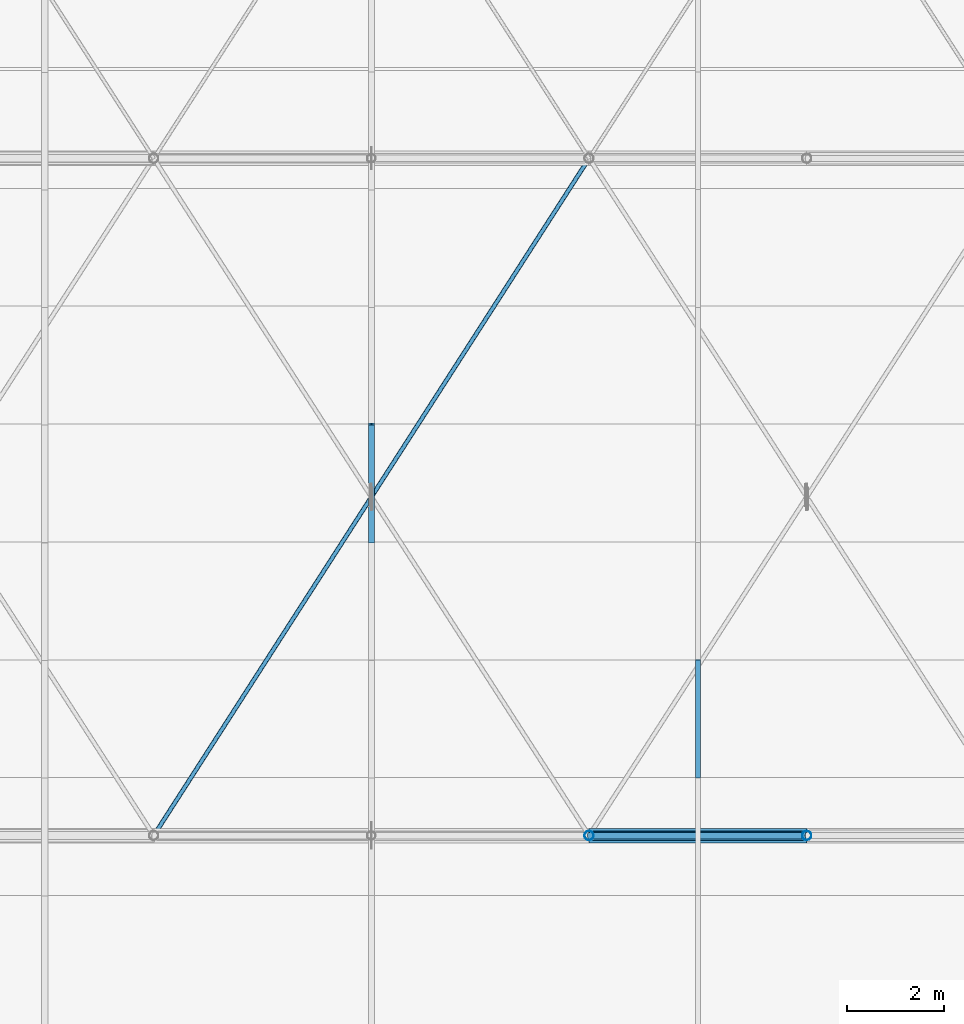
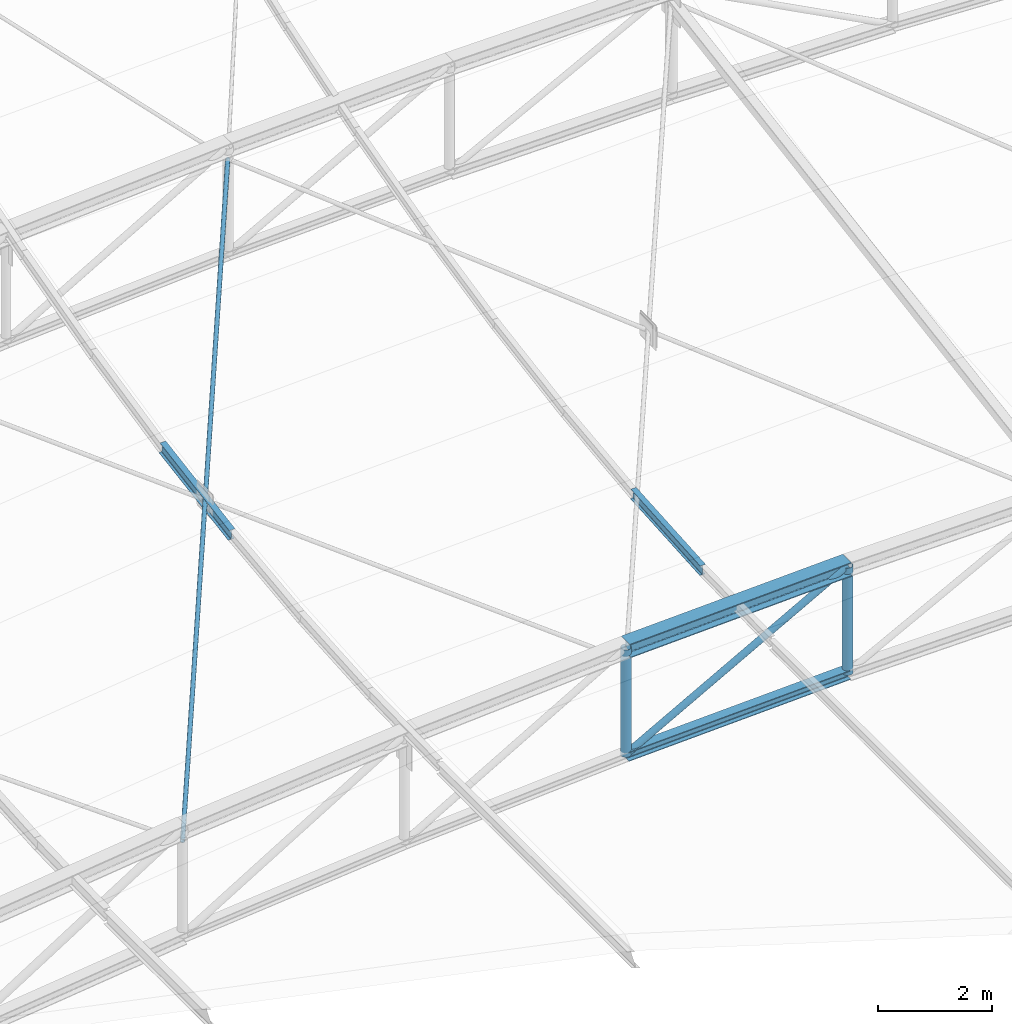
# One storey, part 174 of 262: 8 members.
"""IFC4 building model written with IfcOpenShell, lengths in metres."""

from ifc_helpers import new_model, si_unit, derived_unit, direction, frame, origin, origin_2d, place, context, subcontext, project, spatial, hollow_circle, i_section, extrude, material, material_profile, profile_set, type_object, element, save


model = new_model("IFC4")

# Units and contexts
model_context = context("Model", 3, precision=1e-05, world=origin(), true_north=direction((0.0, 1.0)))
body_context = subcontext(model_context, "Body", "Model", "MODEL_VIEW")
ifc_project = project(units=[si_unit("LENGTHUNIT", "METRE"), si_unit("AREAUNIT", "SQUARE_METRE"), si_unit("VOLUMEUNIT", "CUBIC_METRE"), si_unit("PLANEANGLEUNIT", "RADIAN"), si_unit("MASSUNIT", "GRAM", prefix="KILO"), derived_unit("THERMALTRANSMITTANCEUNIT", [(si_unit("POWERUNIT", "WATT"), 1), (si_unit("LENGTHUNIT", "METRE"), -2), (si_unit("THERMODYNAMICTEMPERATUREUNIT", "KELVIN"), -1)])], contexts=[model_context])

# Site, building, storey
site_placement = place(None, origin())
site = spatial("IfcSite", under=ifc_project, at=site_placement, CompositionType="ELEMENT")
building_placement = place(site_placement, origin())
building = spatial("IfcBuilding", under=site, at=building_placement, Name="Almenara Railside Exhibition Hall", CompositionType="ELEMENT")
storey_placement = place(building_placement, frame((0.0, 0.0, 21.699951171875)))
storey = spatial("IfcBuildingStorey", under=building, at=storey_placement, Name="RF", CompositionType="ELEMENT", Elevation=21.699951171875)

# Members
ifc_material = material(Name="Structural steel S355JR", Category="steel")
ifc_material_profile_1 = material_profile(ifc_material, i_section(OverallWidth=0.300048828125, OverallDepth=0.300048828125, WebThickness=0.010986328125, FlangeThickness=0.01904296875, FilletRadius=0.027099609375, at=origin_2d()), Name="HEB 300")
ifc_profile_set_1 = profile_set([ifc_material_profile_1], Name="Structural steel S355JR")
member_type_1 = type_object("IfcMemberType", Name="Arched Inner Top Chord HEB 300 S355JR", PredefinedType="CHORD", material=ifc_profile_set_1)
member_1_placement = place(storey_placement, frame((156.0, 104.0, -5.32958984375), z_axis=(0.99917098071, 0.0, 0.04071057978), x_axis=(0.0, 1.0, 0.0)))
element("IfcMember", 1, at=member_1_placement, inside=storey, type_object=member_type_1, Name="MEM-TC-V2-05-04", PredefinedType="CHORD", context=body_context, shape_type="SweptSolid", body=[
    extrude(i_section(OverallWidth=0.300048828125, OverallDepth=0.300048828125, WebThickness=0.010986328125, FlangeThickness=0.01904296875, FilletRadius=0.027099609375, at=origin_2d()), origin(), (0.0, 0.0, 1.0), 4.503662109375),
])
ifc_material_profile_2 = material_profile(ifc_material, i_section(OverallWidth=0.199951171875, OverallDepth=0.199951171875, WebThickness=0.009033203125, FlangeThickness=0.014892578125, FilletRadius=0.01806640625, at=origin_2d()), Name="HEB 200")
ifc_profile_set_2 = profile_set([ifc_material_profile_2], Name="Structural steel S355JR")
member_type_2 = type_object("IfcMemberType", Name="Canopy Collar Chord HEB 200 S355JR", PredefinedType="CHORD", material=ifc_profile_set_2)
member_2_placement = place(storey_placement, frame((156.0, 104.0, -7.629638671875), z_axis=(0.99917098071, 0.0, 0.04071057978), x_axis=(0.0, 1.0, 0.0)))
element("IfcMember", 2, at=member_2_placement, inside=storey, type_object=member_type_2, Name="MEM-BC-V2-05-04", PredefinedType="CHORD", context=body_context, shape_type="SweptSolid", body=[
    extrude(i_section(OverallWidth=0.199951171875, OverallDepth=0.199951171875, WebThickness=0.009033203125, FlangeThickness=0.014892578125, FilletRadius=0.01806640625, at=origin_2d()), origin(), (0.0, 0.0, 1.0), 4.503662109375),
])
ifc_material_profile_3 = material_profile(ifc_material, hollow_circle(Radius=0.04443359375, WallThickness=0.00390625, at=origin_2d()), Name="CHS 88.9x4")
ifc_profile_set_3 = profile_set([ifc_material_profile_3], Name="Structural steel S355JR")
member_type_3 = type_object("IfcMemberType", Name="Canopy Tie Brace CHS 88.9x4 S355JR", PredefinedType="BRACE", material=ifc_profile_set_3)
member_3_placement = place(storey_placement, frame((147.0, 104.0, -6.343017578125), z_axis=(0.532168886483, 0.827818267863, 0.177519552872), x_axis=(-0.841178475377, 0.540757591313, 0.0)))
element("IfcMember", 3, at=member_3_placement, inside=storey, type_object=member_type_3, Name="MEM-WB-V2-WB-CHS89-05-02-C", PredefinedType="BRACE", context=body_context, shape_type="SweptSolid", body=[
    extrude(hollow_circle(Radius=0.04443359375, WallThickness=0.00390625, at=origin_2d()), origin(), (0.0, 0.0, 1.0), 16.911865234375),
])
ifc_material_profile_4 = material_profile(ifc_material, i_section(OverallWidth=0.110107421875, OverallDepth=0.219970703125, WebThickness=0.005859375, FlangeThickness=0.00927734375, FilletRadius=0.011962890625, at=origin_2d()), Name="IPE 220")
ifc_profile_set_4 = profile_set([ifc_material_profile_4], Name="Structural steel S355JR")
member_type_4 = type_object("IfcMemberType", Name="Heavy Hall Roof Purlin IPE 220 S355JR", PredefinedType="PURLIN", material=ifc_profile_set_4)
member_4_placement = place(storey_placement, frame((158.25, 105.1962890625, -5.188232421875), z_axis=(0.0, 0.997528729247, 0.070259763216), x_axis=(-1.0, 0.0, 0.0)))
element("IfcMember", 4, at=member_4_placement, inside=storey, type_object=member_type_4, Name="MEM-PR-V2-PR-IPE220-03-17", PredefinedType="PURLIN", context=body_context, shape_type="SweptSolid", body=[
    extrude(i_section(OverallWidth=0.110107421875, OverallDepth=0.219970703125, WebThickness=0.005859375, FlangeThickness=0.00927734375, FilletRadius=0.011962890625, at=origin_2d()), origin(), (0.0, 0.0, 1.0), 2.44287109375),
])
ifc_material_profile_5 = material_profile(ifc_material, i_section(OverallWidth=0.1201171875, OverallDepth=0.239990234375, WebThickness=0.006103515625, FlangeThickness=0.009765625, FilletRadius=0.014892578125, at=origin_2d()), Name="IPE 240")
ifc_profile_set_5 = profile_set([ifc_material_profile_5], Name="Structural steel S355JR")
member_type_5 = type_object("IfcMemberType", Name="Scroll Roof Purlin IPE 240 S355JR", PredefinedType="PURLIN", material=ifc_profile_set_5)
member_5_placement = place(storey_placement, frame((151.5, 110.069580078125, -5.02001953125), z_axis=(0.0, 0.986449960692, 0.164062412058), x_axis=(-1.0, 0.0, 0.0)))
element("IfcMember", 5, at=member_5_placement, inside=storey, type_object=member_type_5, Name="MEM-PR-V2-PR-IPE240-02-19", PredefinedType="PURLIN", context=body_context, shape_type="SweptSolid", body=[
    extrude(i_section(OverallWidth=0.1201171875, OverallDepth=0.239990234375, WebThickness=0.006103515625, FlangeThickness=0.009765625, FilletRadius=0.014892578125, at=origin_2d()), origin(), (0.0, 0.0, 1.0), 2.47021484375),
])
ifc_material_profile_6 = material_profile(ifc_material, hollow_circle(Radius=0.06982421875, WallThickness=0.0048828125, at=origin_2d()), Name="CHS 139.7x5")
ifc_profile_set_6 = profile_set([ifc_material_profile_6], Name="Structural steel S355JR")
member_type_6 = type_object("IfcMemberType", Name="Truss Inner Diagonal CHS 139.7x5 S355JR", PredefinedType="BRACE", material=ifc_profile_set_6)
member_6_placement = place(storey_placement, frame((156.0, 104.0, -7.629638671875), z_axis=(0.875525025835, 0.0, 0.483172773589), x_axis=(0.0, 1.0, 0.0)))
element("IfcMember", 6, at=member_6_placement, inside=storey, type_object=member_type_6, Name="MEM-TD-V2-05-04", PredefinedType="BRACE", context=body_context, shape_type="SweptSolid", body=[
    extrude(hollow_circle(Radius=0.06982421875, WallThickness=0.0048828125, at=origin_2d()), origin(), (0.0, 0.0, 1.0), 5.139892578125),
])
ifc_material_profile_7 = material_profile(ifc_material, hollow_circle(Radius=0.096923828125, WallThickness=0.00634765625, at=origin_2d()), Name="CHS 193.7x6.3")
ifc_profile_set_7 = profile_set([ifc_material_profile_7], Name="Structural steel S355JR")
member_type_7 = type_object("IfcMemberType", Name="Truss Standard Vertical Strut CHS 193.7x6.3 S355JR", PredefinedType="BRACE", material=ifc_profile_set_7)
for number, where, z_axis, x_axis, name in (
    (7, (156.0, 104.0, -7.629638671875), (0.0, 0.0, 1.0), (1.0, 0.0, 0.0), "MEM-TV-V2-05-04"),
    (8, (160.5, 104.0, -7.4462890625), (0.0, 0.0, 1.0), (1.0, 0.0, 0.0), "MEM-TV-V2-05-05"),
):
    element("IfcMember", number, at=place(storey_placement, frame(where, z_axis=z_axis, x_axis=x_axis)), inside=storey, type_object=member_type_7, Name=name, PredefinedType="BRACE", context=body_context, shape_type="SweptSolid", body=[
        extrude(hollow_circle(Radius=0.096923828125, WallThickness=0.00634765625, at=origin_2d()), origin(), (0.0, 0.0, 1.0), 2.300048828125),
    ])

save(model, "model.ifc")
